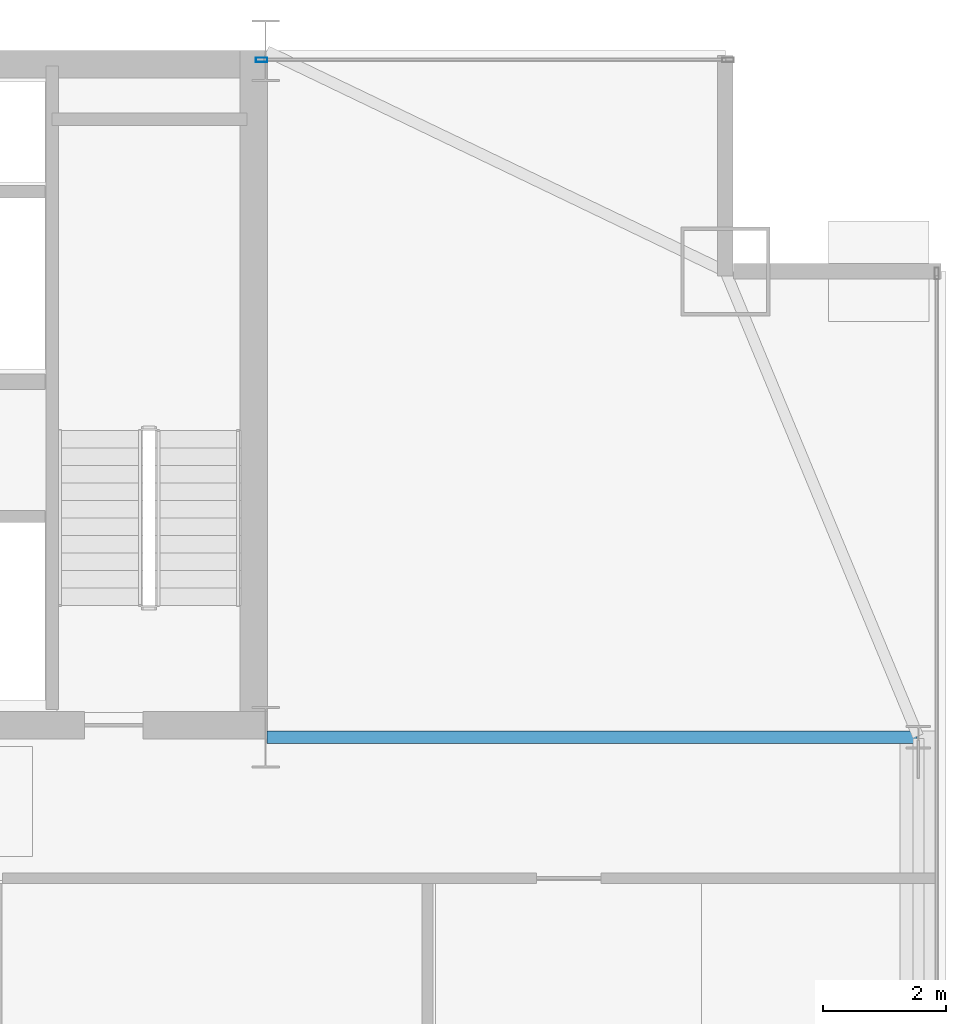
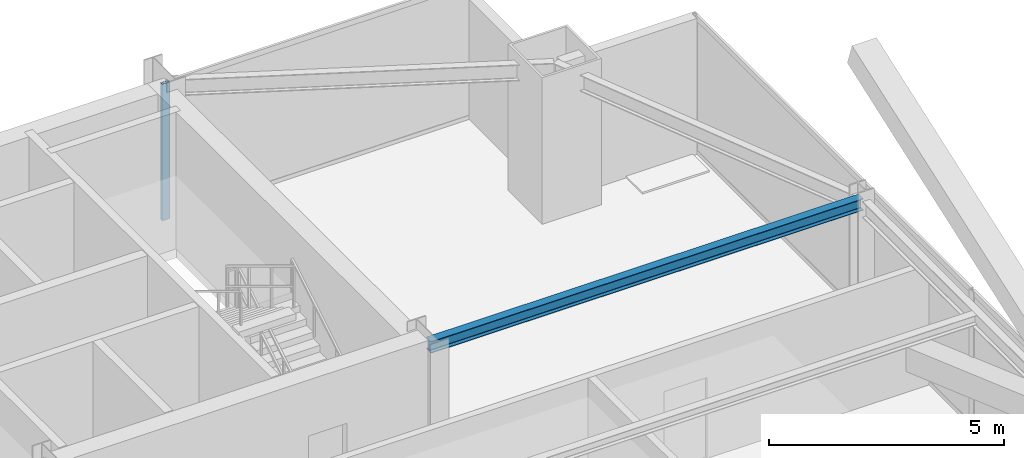
# One storey, part 24 of 35: 1 beam, 1 member, 1 element without a shape of its own.
"""IFC4 building model written with IfcOpenShell, lengths in metres."""

from ifc_helpers import new_model, si_unit, direction, frame, origin, origin_2d, place, context, subcontext, project, spatial, hollow_rectangle, i_section, extrude, source, transform, mapped, material, layer, layer_set, material_profile, profile_set, type_object, type_shapes, element, aggregate, save


model = new_model("IFC4")

# Units and contexts
model_context = context("Model", 3, precision=1e-05, world=origin(), true_north=direction((0.0, 1.0)))
body_context = subcontext(model_context, "Body", "Model", "MODEL_VIEW")
ifc_project = project(units=[si_unit("LENGTHUNIT", "METRE"), si_unit("AREAUNIT", "SQUARE_METRE"), si_unit("VOLUMEUNIT", "CUBIC_METRE"), si_unit("PLANEANGLEUNIT", "RADIAN"), si_unit("MASSUNIT", "GRAM", prefix="KILO")], contexts=[model_context])

# Site, building, storey
site_placement = place(None, origin())
site = spatial("IfcSite", under=ifc_project, at=site_placement, CompositionType="ELEMENT")
building_placement = place(site_placement, origin())
building = spatial("IfcBuilding", under=site, at=building_placement, Name="Varnel Quay Broadcast Tower", CompositionType="ELEMENT")
storey_placement = place(building_placement, frame((0.0, 0.0, 87.0)))
storey = spatial("IfcBuildingStorey", under=building, at=storey_placement, Name="L20", CompositionType="ELEMENT", Elevation=87.0)

# Beam
ifc_material_1 = material(Name="Structural Steel CSA G40.21 350W", Category="steel")
ifc_material_profile_1 = material_profile(ifc_material_1, i_section(OverallWidth=0.202880859375, OverallDepth=0.302978515625, WebThickness=0.007568359375, FlangeThickness=0.01318359375, FilletRadius=0.011962890625, at=origin_2d()), Name="W310X60")
ifc_profile_set_1 = profile_set([ifc_material_profile_1], Name="Structural Steel CSA G40.21 350W")
beam_type = type_object("IfcBeamType", Name="Beam_W310X60", PredefinedType="JOIST", material=ifc_profile_set_1)
shared_shape_1 = source(origin(), body_context, "Body", "SweptSolid", [
    extrude(i_section(OverallWidth=0.202880859375, OverallDepth=0.302978515625, WebThickness=0.007568359375, FlangeThickness=0.01318359375, FilletRadius=0.011962890625, at=origin_2d()), origin(), (0.0, 0.0, 1.0), 10.610107421875),
])
type_shapes(beam_type, [shared_shape_1])
beam_placement = place(storey_placement, frame((52.419921875, 35.60009765625, 3.3984375), z_axis=(1.0, 0.0, 0.0), x_axis=(0.0, 1.0, 0.0)))
element("IfcBeam", 1, at=beam_placement, inside=storey, type_object=beam_type, Name="L20 East Core Tie Joist", PredefinedType="JOIST", context=body_context, shape_type="MappedRepresentation", body=[
    mapped(shared_shape_1, transform((0.0, 0.0, 0.0), x_axis=(1.0, 0.0, 0.0), y_axis=(0.0, 1.0, 0.0), z_axis=(0.0, 0.0, 1.0), scale=1.0)),
])

# Curtain wall, member
ifc_material_2 = material(Name="Anodised Bronze Aluminium 6063-T6", Category="aluminium")
ifc_layer = layer(ifc_material_2, 0.18994140625, Name="Anodised Bronze Aluminium 6063-T6")
ifc_layer_set = layer_set([ifc_layer], Name="Anodised Bronze Aluminium 6063-T6")
curtain_wall_type = type_object("IfcCurtainWallType", Name="CW_LowerTower", PredefinedType="NOTDEFINED", material=ifc_layer_set)
curtain_wall_placement = place(storey_placement, origin())
curtain_wall = element("IfcCurtainWall", 2, at=curtain_wall_placement, inside=storey, type_object=curtain_wall_type, Name="L20 NE Wing Curtain Wall", PredefinedType="NOTDEFINED")
ifc_material_profile_2 = material_profile(ifc_material_2, hollow_rectangle(XDim=0.070068359375, YDim=0.18994140625, WallThickness=0.00390625, at=origin_2d()), Name="ALU70X190X4")
ifc_profile_set_2 = profile_set([ifc_material_profile_2], Name="Anodised Bronze Aluminium 6063-T6")
member_type = type_object("IfcMemberType", Name="Mull_CWS-02", PredefinedType="MULLION", material=ifc_profile_set_2)
shared_shape_2 = source(origin(), body_context, "Body", "SweptSolid", [
    extrude(hollow_rectangle(XDim=0.070068359375, YDim=0.18994140625, WallThickness=0.00390625, at=origin_2d()), origin(), (0.0, 0.0, 1.0), 3.550048828125),
])
type_shapes(member_type, [shared_shape_2])
member_placement = place(storey_placement, frame((52.3349609375, 46.64990234375, 0.0), z_axis=(0.0, 0.0, 1.0), x_axis=(0.0, 1.0, 0.0)))
member = element("IfcMember", 3, at=member_placement, type_object=member_type, Name="CWS-02 mullion 1", PredefinedType="MULLION", context=body_context, shape_type="MappedRepresentation", body=[
    mapped(shared_shape_2, transform((0.0, 0.0, 0.0), x_axis=(1.0, 0.0, 0.0), y_axis=(0.0, 1.0, 0.0), z_axis=(0.0, 0.0, 1.0), scale=1.0)),
])
aggregate(curtain_wall, [member])

save(model, "model.ifc")
